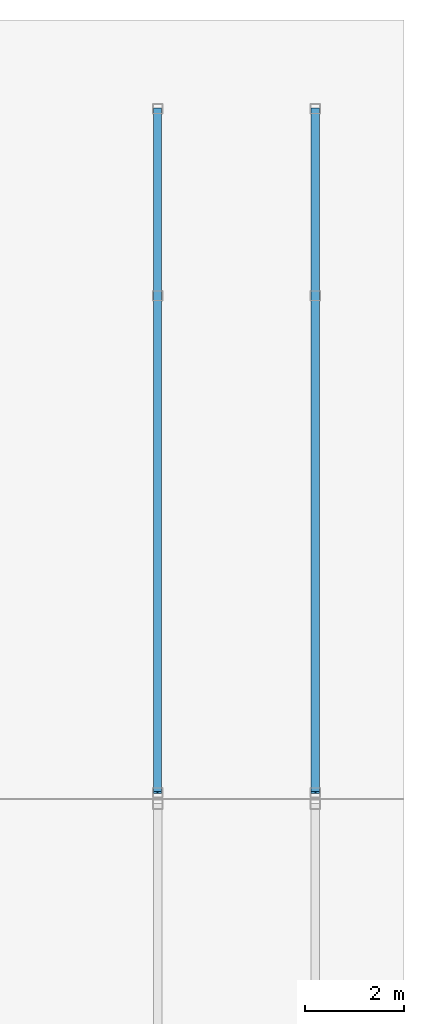
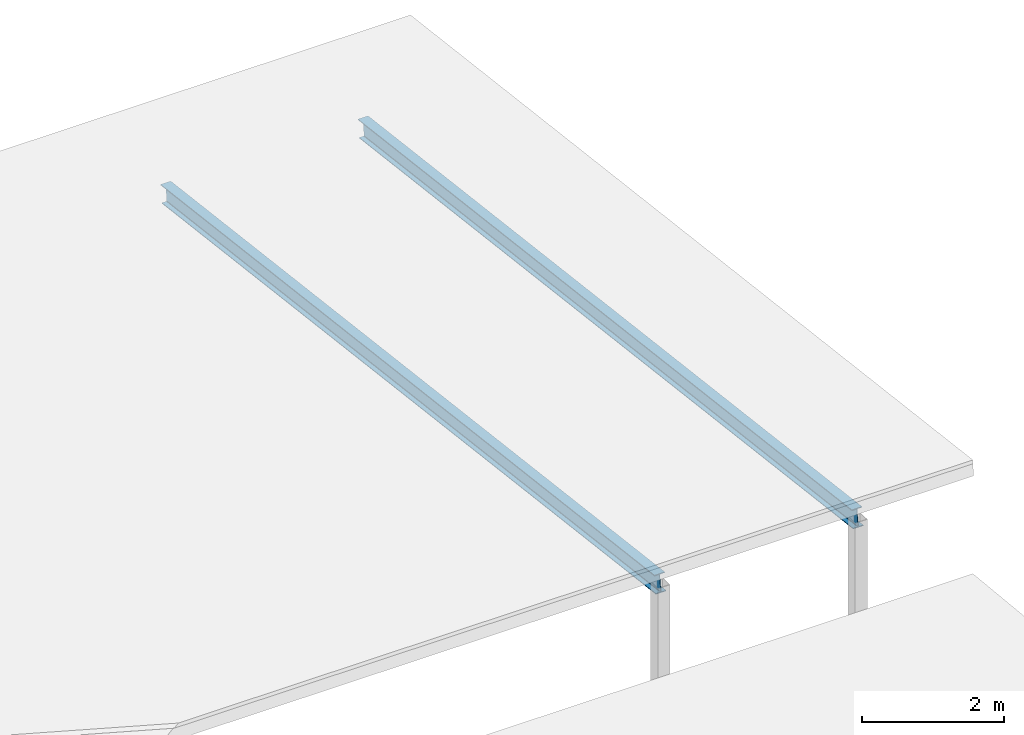
# One storey, part 6 of 11: 2 members.
"""IFC4 building model written with IfcOpenShell, lengths in metres."""

import ifcopenshell
import ifcopenshell.guid

model = None  # the IFC model being written
_history = None  # IfcOwnerHistory: only IFC2X3 demands one
_inside = {}  # id of a spatial element -> (the spatial element, [elements in it])
_under = {}  # id of a project, library or spatial element -> (it, [spatial elements below it])
_declared = {}  # id of a project -> (the project, [libraries it declares])
_typed = {}  # id of a type object -> (the type object, [elements of that type])
_made_of = {}  # id of a material, layer set ... -> (it, [elements and type objects made of it])


def new_model(schema):
    """Start an empty IFC model of exactly this schema.

    Asked for "IFC4X3", IfcOpenShell would pick the latest addendum, in which some entities
    have other attributes; the version numbers below select the first issue.
    IFC2X3 requires an IfcOwnerHistory on every rooted entity: one is made here for all.
    """
    global model, _history
    if schema == "IFC4X3":
        model = ifcopenshell.file(schema_version=(4, 3, 0, 0))
    else:
        model = ifcopenshell.file(schema=schema)
    _inside.clear()
    _under.clear()
    _declared.clear()
    _typed.clear()
    _made_of.clear()
    _history = None
    if model.schema == "IFC2X3":
        org = make("IfcOrganization", Name="unknown")
        user = make(
            "IfcPersonAndOrganization",
            ThePerson=make("IfcPerson", FamilyName="unknown"),
            TheOrganization=org,
        )
        app = make(
            "IfcApplication",
            ApplicationDeveloper=org,
            Version="unknown",
            ApplicationFullName="unknown",
            ApplicationIdentifier="unknown",
        )
        _history = make(
            "IfcOwnerHistory",
            OwningUser=user,
            OwningApplication=app,
            ChangeAction="ADDED",
            CreationDate=0,
        )
    return model


def make(cls, **values):
    """One entity of the class cls with the attributes given. An attribute that is None is left unset."""
    return model.create_entity(
        cls, **{name: value for name, value in values.items() if value is not None}
    )


def rooted(cls, **values):
    """An entity with a GlobalId (a new one), such as an element, a storey or a relation."""
    return make(cls, GlobalId=ifcopenshell.guid.new(), OwnerHistory=_history, **values)


def si_unit(unit_type, name, prefix=None):
    """IfcSIUnit, for example si_unit("LENGTHUNIT", "METRE", prefix="MILLI")."""
    return make("IfcSIUnit", UnitType=unit_type, Prefix=prefix, Name=name)


def assignment(units):
    """IfcUnitAssignment: the units of a project."""
    return None if units is None else make("IfcUnitAssignment", Units=units)


def point(xyz):
    """IfcCartesianPoint."""
    return None if xyz is None else make("IfcCartesianPoint", Coordinates=xyz)


def direction(xyz):
    """IfcDirection."""
    return None if xyz is None else make("IfcDirection", DirectionRatios=xyz)


def frame(location, z_axis=None, x_axis=None):
    """IfcAxis2Placement3D, a coordinate frame: its origin and axes. An axis left out is left unset."""
    return make(
        "IfcAxis2Placement3D",
        Location=point(location),
        Axis=direction(z_axis),
        RefDirection=direction(x_axis),
    )


def frame_2d(location, x_axis=None):
    """IfcAxis2Placement2D, a coordinate frame in the plane: its origin and x axis."""
    return make(
        "IfcAxis2Placement2D", Location=point(location), RefDirection=direction(x_axis)
    )


def origin():
    """The frame at (0, 0, 0) with its axes left unset."""
    return frame((0.0, 0.0, 0.0))


def origin_2d():
    """The frame at (0, 0) in the plane with its x axis left unset."""
    return frame_2d((0.0, 0.0))


def place(relative_to, where):
    """IfcLocalPlacement: puts the frame where relative to a parent placement (None: the world)."""
    return make(
        "IfcLocalPlacement", PlacementRelTo=relative_to, RelativePlacement=where
    )


def context(
    kind, dimensions, precision=None, world=None, true_north=None, identifier=None
):
    """IfcGeometricRepresentationContext, for example the 3D "Model" context."""
    return make(
        "IfcGeometricRepresentationContext",
        ContextIdentifier=identifier,
        ContextType=kind,
        CoordinateSpaceDimension=dimensions,
        Precision=precision,
        WorldCoordinateSystem=world,
        TrueNorth=true_north,
    )


def subcontext(parent, identifier, kind, view, scale=None):
    """IfcGeometricRepresentationSubContext, for example "Body" below "Model"."""
    return make(
        "IfcGeometricRepresentationSubContext",
        ContextIdentifier=identifier,
        ContextType=kind,
        ParentContext=parent,
        TargetScale=scale,
        TargetView=view,
    )


def project(units=None, contexts=None):
    """IfcProject with its units and contexts."""
    return rooted(
        "IfcProject",
        Name="project",
        RepresentationContexts=contexts,
        UnitsInContext=assignment(units),
    )


def spatial(cls, under=None, at=None, **own):
    """A site, building, storey or space (cls), placed at a placement, below another one or the project."""
    s = rooted(cls, ObjectPlacement=at, **own)
    if under is not None:
        _under.setdefault(under.id(), (under, []))[1].append(s)
    return s


def profile(cls, at=None, kind="AREA", **sizes):
    """A parametric profile (cls). Its sizes go by their IFC names, for example OverallWidth=200.0."""
    return make(cls, ProfileType=kind, Position=at, **sizes)


def i_section(**sizes):
    """IfcIShapeProfileDef."""
    return profile("IfcIShapeProfileDef", **sizes)


def extrude(swept, where, along, depth):
    """IfcExtrudedAreaSolid: the profile swept, set in the frame where, extruded along a direction by depth."""
    return make(
        "IfcExtrudedAreaSolid",
        SweptArea=swept,
        Position=where,
        ExtrudedDirection=direction(along),
        Depth=depth,
    )


def shape(context_of_items, identifier, shape_type, items):
    """IfcShapeRepresentation: the items that make up one representation, for example the "Body"."""
    return make(
        "IfcShapeRepresentation",
        ContextOfItems=context_of_items,
        RepresentationIdentifier=identifier,
        RepresentationType=shape_type,
        Items=items,
    )


def material(Name=None, Category=None):
    """IfcMaterial."""
    return make("IfcMaterial", Name=Name, Category=Category)


def material_profile(
    of_material, cross_section, Name=None, Category=None, Priority=None
):
    """IfcMaterialProfile: a cross section and its material."""
    return make(
        "IfcMaterialProfile",
        Name=Name,
        Material=of_material,
        Profile=cross_section,
        Priority=Priority,
        Category=Category,
    )


def profile_set(profiles, Name=None, composite=None):
    """IfcMaterialProfileSet."""
    return make(
        "IfcMaterialProfileSet",
        Name=Name,
        MaterialProfiles=profiles,
        CompositeProfile=composite,
    )


def made_of(thing, what):
    """Note that an element or type object is made of a material, layer set ...; save() writes the relation."""
    if what is not None:
        _made_of.setdefault(what.id(), (what, []))[1].append(thing)
    return thing


def type_object(cls, material=None, **own):
    """A type object (cls), such as IfcWallType, which elements share."""
    return made_of(rooted(cls, **own), material)


def element(
    cls,
    number,
    at=None,
    inside=None,
    cuts=None,
    type_object=None,
    material=None,
    context=None,
    identifier="Body",
    shape_type=None,
    held_by="IfcProductDefinitionShape",
    body=None,
    shapes=None,
    **own,
):
    """One element of the class cls, such as IfcWall. Its Tag is "e" and its number.

    at: its placement. inside: the storey or other place that contains it. cuts: it is an
    opening in that element (IfcRelVoidsElement). A single representation is given by context,
    identifier, shape_type and body (its items); several are given by shapes. held_by: the class
    of the entity that holds the representations. save() writes the other relations.
    """
    e = rooted(cls, Tag="e%d" % number, ObjectPlacement=at, **own)
    if body is not None:
        shapes = [shape(context, identifier, shape_type, body)]
    if shapes is not None:
        e.Representation = make(held_by, Representations=shapes)
    if inside is not None:
        _inside.setdefault(inside.id(), (inside, []))[1].append(e)
    if cuts is not None:
        rooted(
            "IfcRelVoidsElement", RelatingBuildingElement=cuts, RelatedOpeningElement=e
        )
    if type_object is not None:
        _typed.setdefault(type_object.id(), (type_object, []))[1].append(e)
    return made_of(e, material)


def aggregate(whole, parts):
    """IfcRelAggregates: a whole, such as a stair, and the parts it consists of."""
    return rooted("IfcRelAggregates", RelatingObject=whole, RelatedObjects=parts)


def save(model, path):
    """Write the relations noted so far, then the file.

    IfcRelAggregates (storeys below a building ...), IfcRelContainedInSpatialStructure (elements
    in a storey), IfcRelDefinesByType, IfcRelAssociatesMaterial and IfcRelDeclares: one each for
    every whole, place, type object, material and project.
    """
    for whole, parts in _under.values():
        aggregate(whole, parts)
    for where, things in _inside.values():
        rooted(
            "IfcRelContainedInSpatialStructure",
            RelatedElements=things,
            RelatingStructure=where,
        )
    for kind, things in _typed.values():
        rooted("IfcRelDefinesByType", RelatedObjects=things, RelatingType=kind)
    for what, things in _made_of.values():
        rooted("IfcRelAssociatesMaterial", RelatedObjects=things, RelatingMaterial=what)
    for by, libraries in _declared.values():
        rooted("IfcRelDeclares", RelatingContext=by, RelatedDefinitions=libraries)
    model.write(path)


model = new_model("IFC4")

# Units and contexts
model_context = context("Model", 3, precision=1e-05, world=origin(), true_north=direction((0.0, 1.0)))
body_context = subcontext(model_context, "Body", "Model", "MODEL_VIEW")
ifc_project = project(units=[si_unit("LENGTHUNIT", "METRE"), si_unit("AREAUNIT", "SQUARE_METRE"), si_unit("VOLUMEUNIT", "CUBIC_METRE"), si_unit("PLANEANGLEUNIT", "RADIAN"), si_unit("MASSUNIT", "GRAM", prefix="KILO")], contexts=[model_context])

# Site, building, storey
site_placement = place(None, origin())
site = spatial("IfcSite", under=ifc_project, at=site_placement, CompositionType="ELEMENT")
building_placement = place(site_placement, origin())
building = spatial("IfcBuilding", under=site, at=building_placement, Name="Vondelvale Polytechnic", CompositionType="ELEMENT")
storey_placement = place(building_placement, frame((0.0, 0.0, 34.800048828125)))
storey = spatial("IfcBuildingStorey", under=building, at=storey_placement, Name="Roof", CompositionType="ELEMENT", Elevation=34.800048828125)

# Members
ifc_material = material(Name="Steel 300PLUS (fy = 300 MPa)", Category="steel")
ifc_material_profile = material_profile(ifc_material, i_section(OverallWidth=0.166015625, OverallDepth=0.306884765625, WebThickness=0.006591796875, FlangeThickness=0.01171875, FilletRadius=0.011474609375, at=origin_2d()), Name="310UB46.2")
ifc_profile_set = profile_set([ifc_material_profile], Name="Steel 300PLUS (fy = 300 MPa)")
member_type = type_object("IfcMemberType", Name="RAFTER UB310", PredefinedType="RAFTER", material=ifc_profile_set)
for number, where, z_axis, x_axis, name in (
    (1, (38.39990234375, 20.52001953125, 2.1240234375), (0.0, 0.992468980483, -0.122496215367), (-1.0, 0.0, 0.0), "Corner wing roof rafter 2"),
    (2, (41.60009765625, 20.52001953125, 2.1240234375), (0.0, 0.992468980483, -0.122496215367), (-1.0, 0.0, 0.0), "Corner wing roof rafter 2"),
):
    element("IfcMember", number, at=place(storey_placement, frame(where, z_axis=z_axis, x_axis=x_axis)), inside=storey, type_object=member_type, Name=name, PredefinedType="RAFTER", context=body_context, shape_type="SweptSolid", body=[
        extrude(i_section(OverallWidth=0.166015625, OverallDepth=0.306884765625, WebThickness=0.006591796875, FlangeThickness=0.01171875, FilletRadius=0.011474609375, at=origin_2d()), origin(), (0.0, 0.0, 1.0), 13.985107421875),
    ])

save(model, "model.ifc")
